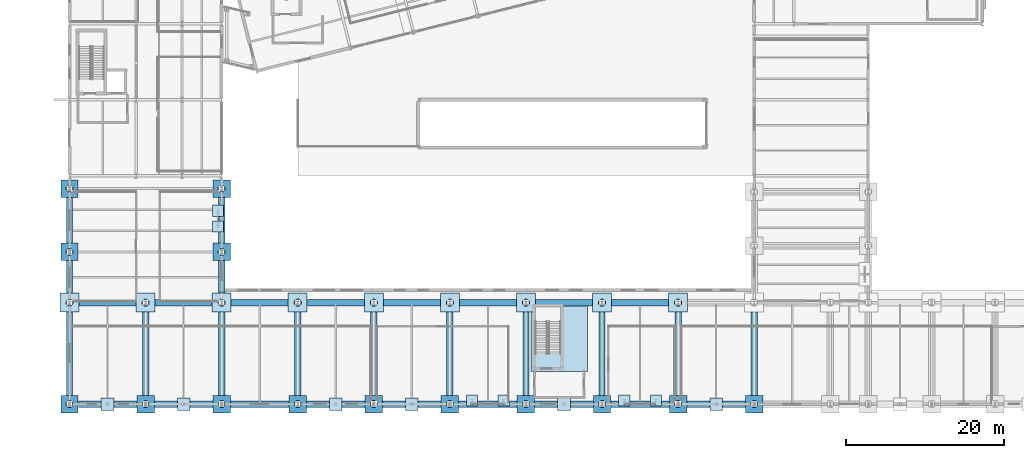
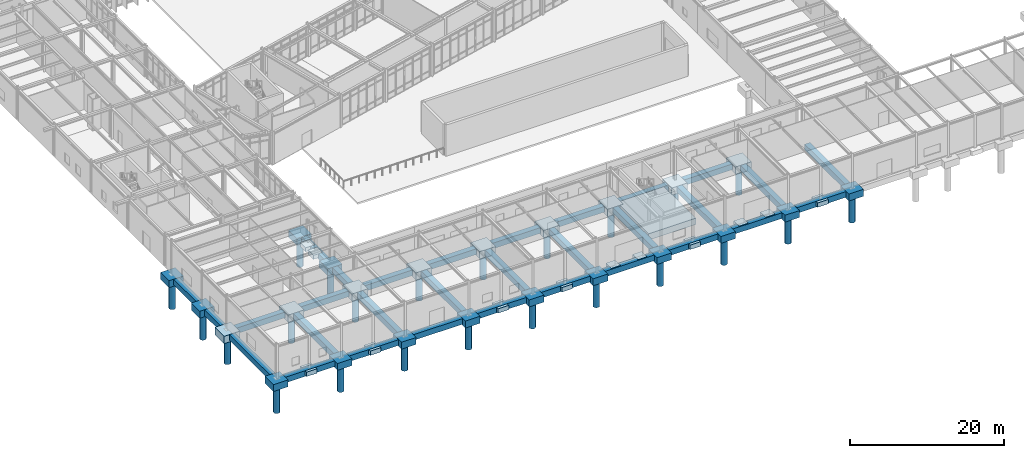
# One storey, part 1 of 109: 67 footings, 23 piles.
"""IFC4 building model written with IfcOpenShell, lengths in metres."""

from ifc_helpers import new_model, si_unit, direction, frame, origin, origin_2d, place, context, subcontext, project, spatial, polyline, rectangle, circle, outline, extrude, material, material_profile, profile_set, type_object, element, save


model = new_model("IFC4")

# Units and contexts
model_context = context("Model", 3, precision=1e-05, world=origin(), true_north=direction((0.0, 1.0)))
body_context = subcontext(model_context, "Body", "Model", "MODEL_VIEW")
ifc_project = project(units=[si_unit("LENGTHUNIT", "METRE"), si_unit("AREAUNIT", "SQUARE_METRE"), si_unit("VOLUMEUNIT", "CUBIC_METRE"), si_unit("PLANEANGLEUNIT", "RADIAN"), si_unit("MASSUNIT", "GRAM", prefix="KILO")], contexts=[model_context])

# Site, building, storey
site_placement = place(None, origin())
site = spatial("IfcSite", under=ifc_project, at=site_placement, CompositionType="ELEMENT")
building_placement = place(site_placement, origin())
building = spatial("IfcBuilding", under=site, at=building_placement, Name="Nordkorset Police Headquarters", CompositionType="ELEMENT")
storey_placement = place(building_placement, origin())
storey = spatial("IfcBuildingStorey", under=building, at=storey_placement, Name="L00", CompositionType="ELEMENT", Elevation=0.0)

# Piles
ifc_material_1 = material(Name="Concrete C45/55", Category="concrete")
ifc_material_profile = material_profile(ifc_material_1, circle(Radius=0.449951171875, at=origin_2d()), Name="PILE D900")
ifc_profile_set = profile_set([ifc_material_profile], Name="Concrete C45/55")
pile_type = type_object("IfcPileType", Name="Bored_PILE_D900", PredefinedType="BORED", material=ifc_profile_set)
pile_1_placement = place(storey_placement, frame((0.0, 0.0, -1.27001953125), z_axis=(0.0, 0.0, -1.0), x_axis=(1.0, 0.0, 0.0)))
element("IfcPile", 1, at=pile_1_placement, inside=storey, type_object=pile_type, Name="Rock-Socketed Bored Pile V7_S0_0-1", PredefinedType="BORED", context=body_context, shape_type="SweptSolid", body=[
    extrude(circle(Radius=0.449951171875, at=origin_2d()), origin(), (0.0, 0.0, 1.0), 4.330078125),
])
pile_2_placement = place(storey_placement, frame((0.0, 12.800048828125, -1.320068359375), z_axis=(0.0, 0.0, -1.0), x_axis=(1.0, 0.0, 0.0)))
element("IfcPile", 2, at=pile_2_placement, inside=storey, type_object=pile_type, Name="Rock-Socketed Bored Pile V7_S1_0-1", PredefinedType="BORED", context=body_context, shape_type="SweptSolid", body=[
    extrude(circle(Radius=0.449951171875, at=origin_2d()), origin(), (0.0, 0.0, 1.0), 4.280029296875),
])
pile_3_placement = place(storey_placement, frame((9.60009765625, 0.0, -1.27001953125), z_axis=(0.0, 0.0, -1.0), x_axis=(1.0, 0.0, 0.0)))
element("IfcPile", 3, at=pile_3_placement, inside=storey, type_object=pile_type, Name="Rock-Socketed Bored Pile V7_S0_1-1", PredefinedType="BORED", context=body_context, shape_type="SweptSolid", body=[
    extrude(circle(Radius=0.449951171875, at=origin_2d()), origin(), (0.0, 0.0, 1.0), 4.330078125),
])
pile_4_placement = place(storey_placement, frame((9.60009765625, 12.800048828125, -1.320068359375), z_axis=(0.0, 0.0, -1.0), x_axis=(1.0, 0.0, 0.0)))
element("IfcPile", 4, at=pile_4_placement, inside=storey, type_object=pile_type, Name="Rock-Socketed Bored Pile V7_S1_1-1", PredefinedType="BORED", context=body_context, shape_type="SweptSolid", body=[
    extrude(circle(Radius=0.449951171875, at=origin_2d()), origin(), (0.0, 0.0, 1.0), 4.280029296875),
])
pile_5_placement = place(storey_placement, frame((19.199951171875, 0.0, -1.27001953125), z_axis=(0.0, 0.0, -1.0), x_axis=(1.0, 0.0, 0.0)))
element("IfcPile", 5, at=pile_5_placement, inside=storey, type_object=pile_type, Name="Rock-Socketed Bored Pile V7_S0_2-1", PredefinedType="BORED", context=body_context, shape_type="SweptSolid", body=[
    extrude(circle(Radius=0.449951171875, at=origin_2d()), origin(), (0.0, 0.0, 1.0), 4.330078125),
])
pile_6_placement = place(storey_placement, frame((19.199951171875, 12.800048828125, -1.320068359375), z_axis=(0.0, 0.0, -1.0), x_axis=(1.0, 0.0, 0.0)))
element("IfcPile", 6, at=pile_6_placement, inside=storey, type_object=pile_type, Name="Rock-Socketed Bored Pile V7_S1_2-1", PredefinedType="BORED", context=body_context, shape_type="SweptSolid", body=[
    extrude(circle(Radius=0.449951171875, at=origin_2d()), origin(), (0.0, 0.0, 1.0), 4.280029296875),
])
pile_7_placement = place(storey_placement, frame((28.800048828125, 0.0, -1.27001953125), z_axis=(0.0, 0.0, -1.0), x_axis=(1.0, 0.0, 0.0)))
element("IfcPile", 7, at=pile_7_placement, inside=storey, type_object=pile_type, Name="Rock-Socketed Bored Pile V7_S0_3-1", PredefinedType="BORED", context=body_context, shape_type="SweptSolid", body=[
    extrude(circle(Radius=0.449951171875, at=origin_2d()), origin(), (0.0, 0.0, 1.0), 4.330078125),
])
pile_8_placement = place(storey_placement, frame((28.800048828125, 12.800048828125, -1.320068359375), z_axis=(0.0, 0.0, -1.0), x_axis=(1.0, 0.0, 0.0)))
element("IfcPile", 8, at=pile_8_placement, inside=storey, type_object=pile_type, Name="Rock-Socketed Bored Pile V7_S1_3-1", PredefinedType="BORED", context=body_context, shape_type="SweptSolid", body=[
    extrude(circle(Radius=0.449951171875, at=origin_2d()), origin(), (0.0, 0.0, 1.0), 4.280029296875),
])
pile_9_placement = place(storey_placement, frame((38.39990234375, 0.0, -1.27001953125), z_axis=(0.0, 0.0, -1.0), x_axis=(1.0, 0.0, 0.0)))
element("IfcPile", 9, at=pile_9_placement, inside=storey, type_object=pile_type, Name="Rock-Socketed Bored Pile V7_S0_4-1", PredefinedType="BORED", context=body_context, shape_type="SweptSolid", body=[
    extrude(circle(Radius=0.449951171875, at=origin_2d()), origin(), (0.0, 0.0, 1.0), 4.330078125),
])
pile_10_placement = place(storey_placement, frame((38.39990234375, 12.800048828125, -1.320068359375), z_axis=(0.0, 0.0, -1.0), x_axis=(1.0, 0.0, 0.0)))
element("IfcPile", 10, at=pile_10_placement, inside=storey, type_object=pile_type, Name="Rock-Socketed Bored Pile V7_S1_4-1", PredefinedType="BORED", context=body_context, shape_type="SweptSolid", body=[
    extrude(circle(Radius=0.449951171875, at=origin_2d()), origin(), (0.0, 0.0, 1.0), 4.280029296875),
])
pile_11_placement = place(storey_placement, frame((48.0, 0.0, -1.27001953125), z_axis=(0.0, 0.0, -1.0), x_axis=(1.0, 0.0, 0.0)))
element("IfcPile", 11, at=pile_11_placement, inside=storey, type_object=pile_type, Name="Rock-Socketed Bored Pile V7_S0_5-1", PredefinedType="BORED", context=body_context, shape_type="SweptSolid", body=[
    extrude(circle(Radius=0.449951171875, at=origin_2d()), origin(), (0.0, 0.0, 1.0), 4.330078125),
])
pile_12_placement = place(storey_placement, frame((48.0, 12.800048828125, -1.320068359375), z_axis=(0.0, 0.0, -1.0), x_axis=(1.0, 0.0, 0.0)))
element("IfcPile", 12, at=pile_12_placement, inside=storey, type_object=pile_type, Name="Rock-Socketed Bored Pile V7_S1_5-1", PredefinedType="BORED", context=body_context, shape_type="SweptSolid", body=[
    extrude(circle(Radius=0.449951171875, at=origin_2d()), origin(), (0.0, 0.0, 1.0), 4.280029296875),
])
pile_13_placement = place(storey_placement, frame((57.60009765625, 0.0, -1.27001953125), z_axis=(0.0, 0.0, -1.0), x_axis=(1.0, 0.0, 0.0)))
element("IfcPile", 13, at=pile_13_placement, inside=storey, type_object=pile_type, Name="Rock-Socketed Bored Pile V7_S0_6-1", PredefinedType="BORED", context=body_context, shape_type="SweptSolid", body=[
    extrude(circle(Radius=0.449951171875, at=origin_2d()), origin(), (0.0, 0.0, 1.0), 4.330078125),
])
pile_14_placement = place(storey_placement, frame((57.60009765625, 12.800048828125, -1.320068359375), z_axis=(0.0, 0.0, -1.0), x_axis=(1.0, 0.0, 0.0)))
element("IfcPile", 14, at=pile_14_placement, inside=storey, type_object=pile_type, Name="Rock-Socketed Bored Pile V7_S1_6-1", PredefinedType="BORED", context=body_context, shape_type="SweptSolid", body=[
    extrude(circle(Radius=0.449951171875, at=origin_2d()), origin(), (0.0, 0.0, 1.0), 4.280029296875),
])
pile_15_placement = place(storey_placement, frame((67.199951171875, 0.0, -1.27001953125), z_axis=(0.0, 0.0, -1.0), x_axis=(1.0, 0.0, 0.0)))
element("IfcPile", 15, at=pile_15_placement, inside=storey, type_object=pile_type, Name="Rock-Socketed Bored Pile V7_S0_7-1", PredefinedType="BORED", context=body_context, shape_type="SweptSolid", body=[
    extrude(circle(Radius=0.449951171875, at=origin_2d()), origin(), (0.0, 0.0, 1.0), 4.330078125),
])
pile_16_placement = place(storey_placement, frame((67.199951171875, 12.800048828125, -1.320068359375), z_axis=(0.0, 0.0, -1.0), x_axis=(1.0, 0.0, 0.0)))
element("IfcPile", 16, at=pile_16_placement, inside=storey, type_object=pile_type, Name="Rock-Socketed Bored Pile V7_S1_7-1", PredefinedType="BORED", context=body_context, shape_type="SweptSolid", body=[
    extrude(circle(Radius=0.449951171875, at=origin_2d()), origin(), (0.0, 0.0, 1.0), 4.280029296875),
])
pile_17_placement = place(storey_placement, frame((76.800048828125, 0.0, -1.27001953125), z_axis=(0.0, 0.0, -1.0), x_axis=(1.0, 0.0, 0.0)))
element("IfcPile", 17, at=pile_17_placement, inside=storey, type_object=pile_type, Name="Rock-Socketed Bored Pile V7_S0_8-1", PredefinedType="BORED", context=body_context, shape_type="SweptSolid", body=[
    extrude(circle(Radius=0.449951171875, at=origin_2d()), origin(), (0.0, 0.0, 1.0), 4.330078125),
])
pile_18_placement = place(storey_placement, frame((76.800048828125, 12.800048828125, -1.320068359375), z_axis=(0.0, 0.0, -1.0), x_axis=(1.0, 0.0, 0.0)))
element("IfcPile", 18, at=pile_18_placement, inside=storey, type_object=pile_type, Name="Rock-Socketed Bored Pile V7_S1_8-1", PredefinedType="BORED", context=body_context, shape_type="SweptSolid", body=[
    extrude(circle(Radius=0.449951171875, at=origin_2d()), origin(), (0.0, 0.0, 1.0), 4.280029296875),
])
for number, where, z_axis, x_axis, name in (
    (19, (86.39990234375, 0.0, -1.27001953125), (0.0, 0.0, -1.0), (1.0, 0.0, 0.0), "Rock-Socketed Bored Pile V7_S0_9-1"),
    (20, (0.0, 19.199951171875, -1.27001953125), (0.0, 0.0, -1.0), (1.0, 0.0, 0.0), "Rock-Socketed Bored Pile V7_WC_0_192-1"),
    (21, (19.199951171875, 19.199951171875, -1.27001953125), (0.0, 0.0, -1.0), (1.0, 0.0, 0.0), "Rock-Socketed Bored Pile V7_WC_1_192-1"),
    (22, (0.0, 27.199951171875, -1.27001953125), (0.0, 0.0, -1.0), (1.0, 0.0, 0.0), "Rock-Socketed Bored Pile V7_WC_0_272-1"),
    (23, (19.199951171875, 27.199951171875, -1.27001953125), (0.0, 0.0, -1.0), (1.0, 0.0, 0.0), "Rock-Socketed Bored Pile V7_WC_1_272-1"),
):
    element("IfcPile", number, at=place(storey_placement, frame(where, z_axis=z_axis, x_axis=x_axis)), inside=storey, type_object=pile_type, Name=name, PredefinedType="BORED", context=body_context, shape_type="SweptSolid", body=[
        extrude(circle(Radius=0.449951171875, at=origin_2d()), origin(), (0.0, 0.0, 1.0), 4.330078125),
    ])

# Footings
ifc_material_2 = material(Name="Concrete C35/45", Category="concrete")
footing_type_1 = type_object("IfcFootingType", Name="Cap_2200x2200x1100", PredefinedType="PILE_CAP", material=ifc_material_2)
for number, where, z_axis, x_axis, name in (
    (24, (0.0, 0.0, -1.3701171875), (0.0, 0.0, 1.0), (1.0, 0.0, 0.0), "Reinforced Concrete Pile Cap V7_S0_0"),
    (25, (9.60009765625, 0.0, -1.3701171875), (0.0, 0.0, 1.0), (1.0, 0.0, 0.0), "Reinforced Concrete Pile Cap V7_S0_1"),
    (26, (19.199951171875, 0.0, -1.3701171875), (0.0, 0.0, 1.0), (1.0, 0.0, 0.0), "Reinforced Concrete Pile Cap V7_S0_2"),
    (27, (28.800048828125, 0.0, -1.3701171875), (0.0, 0.0, 1.0), (1.0, 0.0, 0.0), "Reinforced Concrete Pile Cap V7_S0_3"),
    (28, (38.39990234375, 0.0, -1.3701171875), (0.0, 0.0, 1.0), (1.0, 0.0, 0.0), "Reinforced Concrete Pile Cap V7_S0_4"),
    (29, (48.0, 0.0, -1.3701171875), (0.0, 0.0, 1.0), (1.0, 0.0, 0.0), "Reinforced Concrete Pile Cap V7_S0_5"),
    (30, (57.60009765625, 0.0, -1.3701171875), (0.0, 0.0, 1.0), (1.0, 0.0, 0.0), "Reinforced Concrete Pile Cap V7_S0_6"),
    (31, (67.199951171875, 0.0, -1.3701171875), (0.0, 0.0, 1.0), (1.0, 0.0, 0.0), "Reinforced Concrete Pile Cap V7_S0_7"),
    (32, (76.800048828125, 0.0, -1.3701171875), (0.0, 0.0, 1.0), (1.0, 0.0, 0.0), "Reinforced Concrete Pile Cap V7_S0_8"),
    (33, (86.39990234375, 0.0, -1.3701171875), (0.0, 0.0, 1.0), (1.0, 0.0, 0.0), "Reinforced Concrete Pile Cap V7_S0_9"),
    (34, (0.0, 19.199951171875, -1.3701171875), (0.0, 0.0, 1.0), (1.0, 0.0, 0.0), "Reinforced Concrete Pile Cap V7_WC_0_192"),
    (35, (19.199951171875, 19.199951171875, -1.3701171875), (0.0, 0.0, 1.0), (1.0, 0.0, 0.0), "Reinforced Concrete Pile Cap V7_WC_1_192"),
    (36, (0.0, 27.199951171875, -1.3701171875), (0.0, 0.0, 1.0), (1.0, 0.0, 0.0), "Reinforced Concrete Pile Cap V7_WC_0_272"),
    (37, (19.199951171875, 27.199951171875, -1.3701171875), (0.0, 0.0, 1.0), (1.0, 0.0, 0.0), "Reinforced Concrete Pile Cap V7_WC_1_272"),
):
    element("IfcFooting", number, at=place(storey_placement, frame(where, z_axis=z_axis, x_axis=x_axis)), inside=storey, type_object=footing_type_1, Name=name, PredefinedType="PILE_CAP", context=body_context, shape_type="SweptSolid", body=[
        extrude(rectangle(XDim=2.199951171875, YDim=2.199951171875, at=origin_2d()), origin(), (0.0, 0.0, 1.0), 1.10009765625),
    ])
ifc_material_3 = material(Name="Concrete C35/45", Category="concrete")
footing_type_2 = type_object("IfcFootingType", Name="Cap_2400x2400x1150", PredefinedType="PILE_CAP", material=ifc_material_3)
for number, where, z_axis, x_axis, name in (
    (38, (0.0, 12.800048828125, -1.419921875), (0.0, 0.0, 1.0), (1.0, 0.0, 0.0), "Reinforced Concrete Pile Cap V7_S1_0"),
    (39, (9.60009765625, 12.800048828125, -1.419921875), (0.0, 0.0, 1.0), (1.0, 0.0, 0.0), "Reinforced Concrete Pile Cap V7_S1_1"),
    (40, (19.199951171875, 12.800048828125, -1.419921875), (0.0, 0.0, 1.0), (1.0, 0.0, 0.0), "Reinforced Concrete Pile Cap V7_S1_2"),
    (41, (28.800048828125, 12.800048828125, -1.419921875), (0.0, 0.0, 1.0), (1.0, 0.0, 0.0), "Reinforced Concrete Pile Cap V7_S1_3"),
    (42, (38.39990234375, 12.800048828125, -1.419921875), (0.0, 0.0, 1.0), (1.0, 0.0, 0.0), "Reinforced Concrete Pile Cap V7_S1_4"),
    (43, (48.0, 12.800048828125, -1.419921875), (0.0, 0.0, 1.0), (1.0, 0.0, 0.0), "Reinforced Concrete Pile Cap V7_S1_5"),
    (44, (57.60009765625, 12.800048828125, -1.419921875), (0.0, 0.0, 1.0), (1.0, 0.0, 0.0), "Reinforced Concrete Pile Cap V7_S1_6"),
    (45, (67.199951171875, 12.800048828125, -1.419921875), (0.0, 0.0, 1.0), (1.0, 0.0, 0.0), "Reinforced Concrete Pile Cap V7_S1_7"),
    (46, (76.800048828125, 12.800048828125, -1.419921875), (0.0, 0.0, 1.0), (1.0, 0.0, 0.0), "Reinforced Concrete Pile Cap V7_S1_8"),
):
    element("IfcFooting", number, at=place(storey_placement, frame(where, z_axis=z_axis, x_axis=x_axis)), inside=storey, type_object=footing_type_2, Name=name, PredefinedType="PILE_CAP", context=body_context, shape_type="SweptSolid", body=[
        extrude(rectangle(XDim=2.39990234375, YDim=2.39990234375, at=origin_2d()), origin(), (0.0, 0.0, 1.0), 1.14990234375),
    ])
ifc_material_4 = material(Name="Concrete C35/45", Category="concrete")
footing_type_3 = type_object("IfcFootingType", Name="Pad_1400x1400x650", PredefinedType="PAD_FOOTING", material=ifc_material_4)
for number, where, z_axis, x_axis, name in (
    (47, (50.800048828125, 0.449951171875, -0.919921875), (0.0, 0.0, 1.0), (1.0, 0.0, 0.0), "Portal Post Pad LNT-VG04-0"),
    (48, (54.800048828125, 0.449951171875, -0.919921875), (0.0, 0.0, 1.0), (1.0, 0.0, 0.0), "Portal Post Pad LNT-VG04-1"),
    (49, (70.0, 0.449951171875, -0.919921875), (0.0, 0.0, 1.0), (1.0, 0.0, 0.0), "Portal Post Pad LNT-VG05-0"),
    (50, (74.0, 0.449951171875, -0.919921875), (0.0, 0.0, 1.0), (1.0, 0.0, 0.0), "Portal Post Pad LNT-VG05-1"),
    (51, (18.75, 22.39990234375, -0.919921875), (0.0, 0.0, 1.0), (1.0, 0.0, 0.0), "Portal Post Pad LNT-V7-W-0"),
    (52, (18.75, 24.39990234375, -0.919921875), (0.0, 0.0, 1.0), (1.0, 0.0, 0.0), "Portal Post Pad LNT-V7-W-1"),
):
    element("IfcFooting", number, at=place(storey_placement, frame(where, z_axis=z_axis, x_axis=x_axis)), inside=storey, type_object=footing_type_3, Name=name, PredefinedType="PAD_FOOTING", context=body_context, shape_type="SweptSolid", body=[
        extrude(rectangle(XDim=1.39990234375, YDim=1.39990234375, at=origin_2d()), origin(), (0.0, 0.0, 1.0), 0.64990234375),
    ])
ifc_material_5 = material(Name="Concrete C35/45", Category="concrete")
footing_type_4 = type_object("IfcFootingType", Name="Pad_1600x1600x700", PredefinedType="PAD_FOOTING", material=ifc_material_5)
for number, where, z_axis, x_axis, name in (
    (53, (4.800048828125, 0.0, -0.97021484375), (0.0, 0.0, 1.0), (1.0, 0.0, 0.0), "Pilaster Pad Footing 01"),
    (54, (14.39990234375, 0.0, -0.97021484375), (0.0, 0.0, 1.0), (1.0, 0.0, 0.0), "Pilaster Pad Footing 02"),
    (55, (33.60009765625, 0.0, -0.97021484375), (0.0, 0.0, 1.0), (1.0, 0.0, 0.0), "Pilaster Pad Footing 03"),
    (56, (43.199951171875, 0.0, -0.97021484375), (0.0, 0.0, 1.0), (1.0, 0.0, 0.0), "Pilaster Pad Footing 04"),
    (57, (62.39990234375, 0.0, -0.97021484375), (0.0, 0.0, 1.0), (1.0, 0.0, 0.0), "Pilaster Pad Footing 05"),
    (58, (81.60009765625, 0.0, -0.97021484375), (0.0, 0.0, 1.0), (1.0, 0.0, 0.0), "Pilaster Pad Footing 06"),
):
    element("IfcFooting", number, at=place(storey_placement, frame(where, z_axis=z_axis, x_axis=x_axis)), inside=storey, type_object=footing_type_4, Name=name, PredefinedType="PAD_FOOTING", context=body_context, shape_type="SweptSolid", body=[
        extrude(rectangle(XDim=1.60009765625, YDim=1.60009765625, at=origin_2d()), origin(), (0.0, 0.0, 1.0), 0.699951171875),
    ])
ifc_material_6 = material(Name="Concrete C35/45", Category="concrete")
footing_type_5 = type_object("IfcFootingType", Name="Strip_1000x1000", PredefinedType="STRIP_FOOTING", material=ifc_material_6)
footing_1_placement = place(storey_placement, frame((0.0, 0.0, -1.27001953125)))
element("IfcFooting", 59, at=footing_1_placement, inside=storey, type_object=footing_type_5, Name="Plinth Core K9 Foundation Strip Footing", PredefinedType="STRIP_FOOTING", context=body_context, shape_type="SweptSolid", body=[
    extrude(outline(polyline([(58.25, 4.1298828125), (65.35009765625, 4.1298828125), (65.35009765625, 12.780029296875), (58.25, 12.780029296875), (58.25, 4.1298828125)])), origin(), (0.0, 0.0, 1.0), 1.0),
])
ifc_material_7 = material(Name="Concrete C35/45", Category="concrete")
footing_type_6 = type_object("IfcFootingType", Name="Strip_800x900", PredefinedType="STRIP_FOOTING", material=ifc_material_7)
footing_2_placement = place(storey_placement, frame((0.0, 0.0, -1.169921875)))
element("IfcFooting", 60, at=footing_2_placement, inside=storey, type_object=footing_type_6, Name="Foundation Tie Strip Footing X-001", PredefinedType="STRIP_FOOTING", context=body_context, shape_type="SweptSolid", body=[
    extrude(outline(polyline([(1.10302734375, -0.39990234375), (8.4970703125, -0.39990234375), (8.4970703125, 0.39990234375), (1.10302734375, 0.39990234375), (1.10302734375, -0.39990234375)])), origin(), (0.0, 0.0, 1.0), 0.89990234375),
])
footing_3_placement = place(storey_placement, frame((0.0, 0.0, -1.169921875)))
element("IfcFooting", 61, at=footing_3_placement, inside=storey, type_object=footing_type_6, Name="Foundation Tie Strip Footing X-002", PredefinedType="STRIP_FOOTING", context=body_context, shape_type="SweptSolid", body=[
    extrude(outline(polyline([(10.702880859375, -0.39990234375), (18.096923828125, -0.39990234375), (18.096923828125, 0.39990234375), (10.702880859375, 0.39990234375), (10.702880859375, -0.39990234375)])), origin(), (0.0, 0.0, 1.0), 0.89990234375),
])
footing_4_placement = place(storey_placement, frame((0.0, 0.0, -1.169921875)))
element("IfcFooting", 62, at=footing_4_placement, inside=storey, type_object=footing_type_6, Name="Foundation Tie Strip Footing X-003", PredefinedType="STRIP_FOOTING", context=body_context, shape_type="SweptSolid", body=[
    extrude(outline(polyline([(20.302978515625, -0.39990234375), (27.697021484375, -0.39990234375), (27.697021484375, 0.39990234375), (20.302978515625, 0.39990234375), (20.302978515625, -0.39990234375)])), origin(), (0.0, 0.0, 1.0), 0.89990234375),
])
footing_5_placement = place(storey_placement, frame((0.0, 0.0, -1.169921875)))
element("IfcFooting", 63, at=footing_5_placement, inside=storey, type_object=footing_type_6, Name="Foundation Tie Strip Footing X-004", PredefinedType="STRIP_FOOTING", context=body_context, shape_type="SweptSolid", body=[
    extrude(outline(polyline([(29.903076171875, -0.39990234375), (37.297119140625, -0.39990234375), (37.297119140625, 0.39990234375), (29.903076171875, 0.39990234375), (29.903076171875, -0.39990234375)])), origin(), (0.0, 0.0, 1.0), 0.89990234375),
])
footing_6_placement = place(storey_placement, frame((0.0, 0.0, -1.169921875)))
element("IfcFooting", 64, at=footing_6_placement, inside=storey, type_object=footing_type_6, Name="Foundation Tie Strip Footing X-005", PredefinedType="STRIP_FOOTING", context=body_context, shape_type="SweptSolid", body=[
    extrude(outline(polyline([(39.5029296875, -0.39990234375), (46.89697265625, -0.39990234375), (46.89697265625, 0.39990234375), (39.5029296875, 0.39990234375), (39.5029296875, -0.39990234375)])), origin(), (0.0, 0.0, 1.0), 0.89990234375),
])
footing_7_placement = place(storey_placement, frame((0.0, 0.0, -1.169921875)))
element("IfcFooting", 65, at=footing_7_placement, inside=storey, type_object=footing_type_6, Name="Foundation Tie Strip Footing X-006", PredefinedType="STRIP_FOOTING", context=body_context, shape_type="SweptSolid", body=[
    extrude(outline(polyline([(49.10302734375, -0.39990234375), (56.4970703125, -0.39990234375), (56.4970703125, 0.39990234375), (49.10302734375, 0.39990234375), (49.10302734375, -0.39990234375)])), origin(), (0.0, 0.0, 1.0), 0.89990234375),
])
footing_8_placement = place(storey_placement, frame((0.0, 0.0, -1.169921875)))
element("IfcFooting", 66, at=footing_8_placement, inside=storey, type_object=footing_type_6, Name="Foundation Tie Strip Footing X-007", PredefinedType="STRIP_FOOTING", context=body_context, shape_type="SweptSolid", body=[
    extrude(outline(polyline([(58.702880859375, -0.39990234375), (66.096923828125, -0.39990234375), (66.096923828125, 0.39990234375), (58.702880859375, 0.39990234375), (58.702880859375, -0.39990234375)])), origin(), (0.0, 0.0, 1.0), 0.89990234375),
])
footing_9_placement = place(storey_placement, frame((0.0, 0.0, -1.169921875)))
element("IfcFooting", 67, at=footing_9_placement, inside=storey, type_object=footing_type_6, Name="Foundation Tie Strip Footing X-008", PredefinedType="STRIP_FOOTING", context=body_context, shape_type="SweptSolid", body=[
    extrude(outline(polyline([(68.302978515625, -0.39990234375), (75.697021484375, -0.39990234375), (75.697021484375, 0.39990234375), (68.302978515625, 0.39990234375), (68.302978515625, -0.39990234375)])), origin(), (0.0, 0.0, 1.0), 0.89990234375),
])
footing_10_placement = place(storey_placement, frame((0.0, 0.0, -1.169921875)))
element("IfcFooting", 68, at=footing_10_placement, inside=storey, type_object=footing_type_6, Name="Foundation Tie Strip Footing X-009", PredefinedType="STRIP_FOOTING", context=body_context, shape_type="SweptSolid", body=[
    extrude(outline(polyline([(77.903076171875, -0.39990234375), (85.297119140625, -0.39990234375), (85.297119140625, 0.39990234375), (77.903076171875, 0.39990234375), (77.903076171875, -0.39990234375)])), origin(), (0.0, 0.0, 1.0), 0.89990234375),
])
footing_11_placement = place(storey_placement, frame((0.0, 0.0, -1.169921875)))
element("IfcFooting", 69, at=footing_11_placement, inside=storey, type_object=footing_type_6, Name="Foundation Tie Strip Footing X-023", PredefinedType="STRIP_FOOTING", context=body_context, shape_type="SweptSolid", body=[
    extrude(outline(polyline([(1.202880859375, 12.39990234375), (8.39697265625, 12.39990234375), (8.39697265625, 13.199951171875), (1.202880859375, 13.199951171875), (1.202880859375, 12.39990234375)])), origin(), (0.0, 0.0, 1.0), 0.89990234375),
])
footing_12_placement = place(storey_placement, frame((0.0, 0.0, -1.169921875)))
element("IfcFooting", 70, at=footing_12_placement, inside=storey, type_object=footing_type_6, Name="Foundation Tie Strip Footing X-024", PredefinedType="STRIP_FOOTING", context=body_context, shape_type="SweptSolid", body=[
    extrude(outline(polyline([(10.802978515625, 12.39990234375), (17.9970703125, 12.39990234375), (17.9970703125, 13.199951171875), (10.802978515625, 13.199951171875), (10.802978515625, 12.39990234375)])), origin(), (0.0, 0.0, 1.0), 0.89990234375),
])
footing_13_placement = place(storey_placement, frame((0.0, 0.0, -1.169921875)))
element("IfcFooting", 71, at=footing_13_placement, inside=storey, type_object=footing_type_6, Name="Foundation Tie Strip Footing X-025", PredefinedType="STRIP_FOOTING", context=body_context, shape_type="SweptSolid", body=[
    extrude(outline(polyline([(20.403076171875, 12.39990234375), (27.596923828125, 12.39990234375), (27.596923828125, 13.199951171875), (20.403076171875, 13.199951171875), (20.403076171875, 12.39990234375)])), origin(), (0.0, 0.0, 1.0), 0.89990234375),
])
footing_14_placement = place(storey_placement, frame((0.0, 0.0, -1.169921875)))
element("IfcFooting", 72, at=footing_14_placement, inside=storey, type_object=footing_type_6, Name="Foundation Tie Strip Footing X-026", PredefinedType="STRIP_FOOTING", context=body_context, shape_type="SweptSolid", body=[
    extrude(outline(polyline([(30.0029296875, 12.39990234375), (37.197021484375, 12.39990234375), (37.197021484375, 13.199951171875), (30.0029296875, 13.199951171875), (30.0029296875, 12.39990234375)])), origin(), (0.0, 0.0, 1.0), 0.89990234375),
])
footing_15_placement = place(storey_placement, frame((0.0, 0.0, -1.169921875)))
element("IfcFooting", 73, at=footing_15_placement, inside=storey, type_object=footing_type_6, Name="Foundation Tie Strip Footing X-027", PredefinedType="STRIP_FOOTING", context=body_context, shape_type="SweptSolid", body=[
    extrude(outline(polyline([(39.60302734375, 12.39990234375), (46.797119140625, 12.39990234375), (46.797119140625, 13.199951171875), (39.60302734375, 13.199951171875), (39.60302734375, 12.39990234375)])), origin(), (0.0, 0.0, 1.0), 0.89990234375),
])
footing_16_placement = place(storey_placement, frame((0.0, 0.0, -1.169921875)))
element("IfcFooting", 74, at=footing_16_placement, inside=storey, type_object=footing_type_6, Name="Foundation Tie Strip Footing X-028", PredefinedType="STRIP_FOOTING", context=body_context, shape_type="SweptSolid", body=[
    extrude(outline(polyline([(49.202880859375, 12.39990234375), (56.39697265625, 12.39990234375), (56.39697265625, 13.199951171875), (49.202880859375, 13.199951171875), (49.202880859375, 12.39990234375)])), origin(), (0.0, 0.0, 1.0), 0.89990234375),
])
footing_17_placement = place(storey_placement, frame((0.0, 0.0, -1.169921875)))
element("IfcFooting", 75, at=footing_17_placement, inside=storey, type_object=footing_type_6, Name="Foundation Tie Strip Footing X-029", PredefinedType="STRIP_FOOTING", context=body_context, shape_type="SweptSolid", body=[
    extrude(outline(polyline([(58.802978515625, 12.39990234375), (65.9970703125, 12.39990234375), (65.9970703125, 13.199951171875), (58.802978515625, 13.199951171875), (58.802978515625, 12.39990234375)])), origin(), (0.0, 0.0, 1.0), 0.89990234375),
])
footing_18_placement = place(storey_placement, frame((0.0, 0.0, -1.169921875)))
element("IfcFooting", 76, at=footing_18_placement, inside=storey, type_object=footing_type_6, Name="Foundation Tie Strip Footing X-030", PredefinedType="STRIP_FOOTING", context=body_context, shape_type="SweptSolid", body=[
    extrude(outline(polyline([(68.403076171875, 12.39990234375), (75.596923828125, 12.39990234375), (75.596923828125, 13.199951171875), (68.403076171875, 13.199951171875), (68.403076171875, 12.39990234375)])), origin(), (0.0, 0.0, 1.0), 0.89990234375),
])
footing_19_placement = place(storey_placement, frame((0.0, 0.0, -1.169921875)))
element("IfcFooting", 77, at=footing_19_placement, inside=storey, type_object=footing_type_6, Name="Foundation Tie Strip Footing Y-001", PredefinedType="STRIP_FOOTING", context=body_context, shape_type="SweptSolid", body=[
    extrude(outline(polyline([(-0.39990234375, 1.10302734375), (0.39990234375, 1.10302734375), (0.39990234375, 11.596923828125), (-0.39990234375, 11.596923828125), (-0.39990234375, 1.10302734375)])), origin(), (0.0, 0.0, 1.0), 0.89990234375),
])
footing_20_placement = place(storey_placement, frame((0.0, 0.0, -1.169921875)))
element("IfcFooting", 78, at=footing_20_placement, inside=storey, type_object=footing_type_6, Name="Foundation Tie Strip Footing Y-002", PredefinedType="STRIP_FOOTING", context=body_context, shape_type="SweptSolid", body=[
    extrude(outline(polyline([(-0.39990234375, 14.0029296875), (0.39990234375, 14.0029296875), (0.39990234375, 18.096923828125), (-0.39990234375, 18.096923828125), (-0.39990234375, 14.0029296875)])), origin(), (0.0, 0.0, 1.0), 0.89990234375),
])
footing_21_placement = place(storey_placement, frame((0.0, 0.0, -1.169921875)))
element("IfcFooting", 79, at=footing_21_placement, inside=storey, type_object=footing_type_6, Name="Foundation Tie Strip Footing Y-003", PredefinedType="STRIP_FOOTING", context=body_context, shape_type="SweptSolid", body=[
    extrude(outline(polyline([(-0.39990234375, 20.302978515625), (0.39990234375, 20.302978515625), (0.39990234375, 26.096923828125), (-0.39990234375, 26.096923828125), (-0.39990234375, 20.302978515625)])), origin(), (0.0, 0.0, 1.0), 0.89990234375),
])
footing_22_placement = place(storey_placement, frame((0.0, 0.0, -1.169921875)))
element("IfcFooting", 80, at=footing_22_placement, inside=storey, type_object=footing_type_6, Name="Foundation Tie Strip Footing Y-004", PredefinedType="STRIP_FOOTING", context=body_context, shape_type="SweptSolid", body=[
    extrude(outline(polyline([(9.199951171875, 1.10302734375), (10.0, 1.10302734375), (10.0, 11.596923828125), (9.199951171875, 11.596923828125), (9.199951171875, 1.10302734375)])), origin(), (0.0, 0.0, 1.0), 0.89990234375),
])
footing_23_placement = place(storey_placement, frame((0.0, 0.0, -1.169921875)))
element("IfcFooting", 81, at=footing_23_placement, inside=storey, type_object=footing_type_6, Name="Foundation Tie Strip Footing Y-005", PredefinedType="STRIP_FOOTING", context=body_context, shape_type="SweptSolid", body=[
    extrude(outline(polyline([(18.800048828125, 1.10302734375), (19.60009765625, 1.10302734375), (19.60009765625, 11.596923828125), (18.800048828125, 11.596923828125), (18.800048828125, 1.10302734375)])), origin(), (0.0, 0.0, 1.0), 0.89990234375),
])
footing_24_placement = place(storey_placement, frame((0.0, 0.0, -1.169921875)))
element("IfcFooting", 82, at=footing_24_placement, inside=storey, type_object=footing_type_6, Name="Foundation Tie Strip Footing Y-006", PredefinedType="STRIP_FOOTING", context=body_context, shape_type="SweptSolid", body=[
    extrude(outline(polyline([(18.800048828125, 14.0029296875), (19.60009765625, 14.0029296875), (19.60009765625, 18.096923828125), (18.800048828125, 18.096923828125), (18.800048828125, 14.0029296875)])), origin(), (0.0, 0.0, 1.0), 0.89990234375),
])
footing_25_placement = place(storey_placement, frame((0.0, 0.0, -1.169921875)))
element("IfcFooting", 83, at=footing_25_placement, inside=storey, type_object=footing_type_6, Name="Foundation Tie Strip Footing Y-007", PredefinedType="STRIP_FOOTING", context=body_context, shape_type="SweptSolid", body=[
    extrude(outline(polyline([(18.800048828125, 20.302978515625), (19.60009765625, 20.302978515625), (19.60009765625, 26.096923828125), (18.800048828125, 26.096923828125), (18.800048828125, 20.302978515625)])), origin(), (0.0, 0.0, 1.0), 0.89990234375),
])
footing_26_placement = place(storey_placement, frame((0.0, 0.0, -1.169921875)))
element("IfcFooting", 84, at=footing_26_placement, inside=storey, type_object=footing_type_6, Name="Foundation Tie Strip Footing Y-008", PredefinedType="STRIP_FOOTING", context=body_context, shape_type="SweptSolid", body=[
    extrude(outline(polyline([(28.39990234375, 1.10302734375), (29.199951171875, 1.10302734375), (29.199951171875, 11.596923828125), (28.39990234375, 11.596923828125), (28.39990234375, 1.10302734375)])), origin(), (0.0, 0.0, 1.0), 0.89990234375),
])
footing_27_placement = place(storey_placement, frame((0.0, 0.0, -1.169921875)))
element("IfcFooting", 85, at=footing_27_placement, inside=storey, type_object=footing_type_6, Name="Foundation Tie Strip Footing Y-009", PredefinedType="STRIP_FOOTING", context=body_context, shape_type="SweptSolid", body=[
    extrude(outline(polyline([(38.0, 1.10302734375), (38.800048828125, 1.10302734375), (38.800048828125, 11.596923828125), (38.0, 11.596923828125), (38.0, 1.10302734375)])), origin(), (0.0, 0.0, 1.0), 0.89990234375),
])
footing_28_placement = place(storey_placement, frame((0.0, 0.0, -1.169921875)))
element("IfcFooting", 86, at=footing_28_placement, inside=storey, type_object=footing_type_6, Name="Foundation Tie Strip Footing Y-010", PredefinedType="STRIP_FOOTING", context=body_context, shape_type="SweptSolid", body=[
    extrude(outline(polyline([(47.60009765625, 1.10302734375), (48.39990234375, 1.10302734375), (48.39990234375, 11.596923828125), (47.60009765625, 11.596923828125), (47.60009765625, 1.10302734375)])), origin(), (0.0, 0.0, 1.0), 0.89990234375),
])
footing_29_placement = place(storey_placement, frame((0.0, 0.0, -1.169921875)))
element("IfcFooting", 87, at=footing_29_placement, inside=storey, type_object=footing_type_6, Name="Foundation Tie Strip Footing Y-011", PredefinedType="STRIP_FOOTING", context=body_context, shape_type="SweptSolid", body=[
    extrude(outline(polyline([(57.199951171875, 1.10302734375), (58.0, 1.10302734375), (58.0, 11.596923828125), (57.199951171875, 11.596923828125), (57.199951171875, 1.10302734375)])), origin(), (0.0, 0.0, 1.0), 0.89990234375),
])
footing_30_placement = place(storey_placement, frame((0.0, 0.0, -1.169921875)))
element("IfcFooting", 88, at=footing_30_placement, inside=storey, type_object=footing_type_6, Name="Foundation Tie Strip Footing Y-012", PredefinedType="STRIP_FOOTING", context=body_context, shape_type="SweptSolid", body=[
    extrude(outline(polyline([(66.800048828125, 1.10302734375), (67.60009765625, 1.10302734375), (67.60009765625, 11.596923828125), (66.800048828125, 11.596923828125), (66.800048828125, 1.10302734375)])), origin(), (0.0, 0.0, 1.0), 0.89990234375),
])
footing_31_placement = place(storey_placement, frame((0.0, 0.0, -1.169921875)))
element("IfcFooting", 89, at=footing_31_placement, inside=storey, type_object=footing_type_6, Name="Foundation Tie Strip Footing Y-013", PredefinedType="STRIP_FOOTING", context=body_context, shape_type="SweptSolid", body=[
    extrude(outline(polyline([(76.39990234375, 1.10302734375), (77.199951171875, 1.10302734375), (77.199951171875, 11.596923828125), (76.39990234375, 11.596923828125), (76.39990234375, 1.10302734375)])), origin(), (0.0, 0.0, 1.0), 0.89990234375),
])
footing_32_placement = place(storey_placement, frame((0.0, 0.0, -1.169921875)))
element("IfcFooting", 90, at=footing_32_placement, inside=storey, type_object=footing_type_6, Name="Foundation Tie Strip Footing Y-014", PredefinedType="STRIP_FOOTING", context=body_context, shape_type="SweptSolid", body=[
    extrude(outline(polyline([(86.0, 1.10302734375), (86.800048828125, 1.10302734375), (86.800048828125, 11.596923828125), (86.0, 11.596923828125), (86.0, 1.10302734375)])), origin(), (0.0, 0.0, 1.0), 0.89990234375),
])

save(model, "model.ifc")
